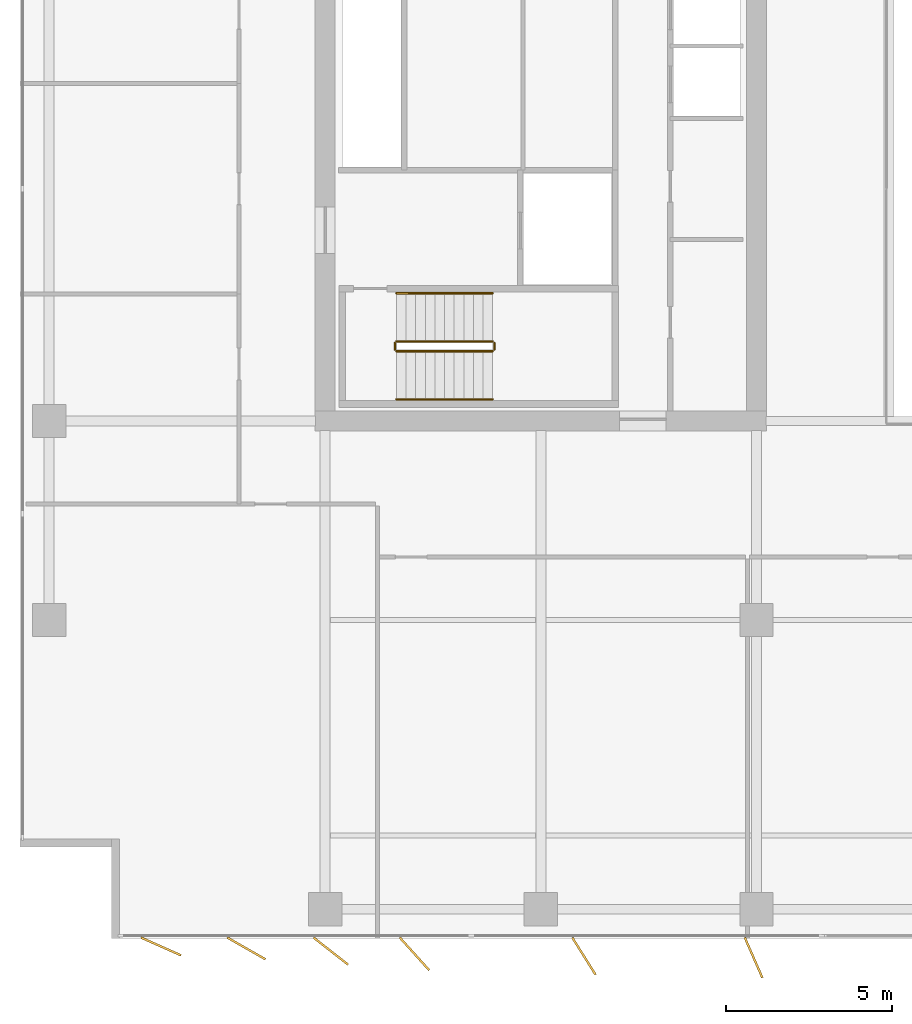
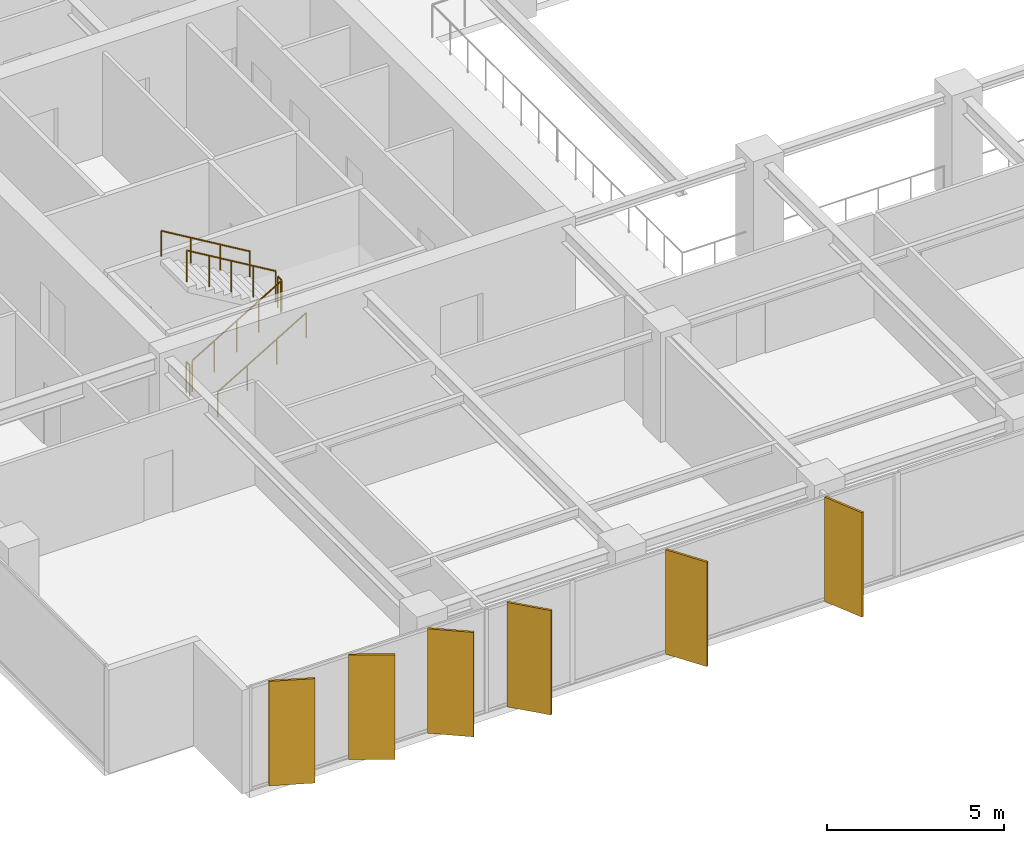
# One storey, part 19 of 22: 6 railings, 6 shading devices.
"""IFC4 building model written with IfcOpenShell, lengths in metres."""

from ifc_helpers import new_model, si_unit, direction, frame, origin, origin_2d, place, context, subcontext, project, spatial, rectangle, circle, extrude, material, layer, layer_set, type_object, element, save


model = new_model("IFC4")

# Units and contexts
model_context = context("Model", 3, precision=1e-05, world=origin(), true_north=direction((0.0, 1.0)))
body_context = subcontext(model_context, "Body", "Model", "MODEL_VIEW")
ifc_project = project(units=[si_unit("LENGTHUNIT", "METRE"), si_unit("AREAUNIT", "SQUARE_METRE"), si_unit("VOLUMEUNIT", "CUBIC_METRE"), si_unit("PLANEANGLEUNIT", "RADIAN"), si_unit("MASSUNIT", "GRAM", prefix="KILO")], contexts=[model_context])

# Site, building, storey
site_placement = place(None, origin())
site = spatial("IfcSite", under=ifc_project, at=site_placement, CompositionType="ELEMENT")
building_placement = place(site_placement, origin())
building = spatial("IfcBuilding", under=site, at=building_placement, Name="Putna Gate Headquarters", CompositionType="ELEMENT")
storey_placement = place(building_placement, frame((0.0, 0.0, 186.0)))
storey = spatial("IfcBuildingStorey", under=building, at=storey_placement, Name="L46", CompositionType="ELEMENT", Elevation=186.0)

# Railings
ifc_material_1 = material(Name="Powder-coated steel stair guardrail", Category="steel")
railing_type_1 = type_object("IfcRailingType", Name="RAIL-STAIR-GUARD-1100", PredefinedType="GUARDRAIL", material=ifc_material_1)
railing_1_placement = place(storey_placement, frame((15.14990234375, 21.10009765625, 0.172607421875)))
element("IfcRailing", 1, at=railing_1_placement, inside=storey, type_object=railing_type_1, Name="L46 ST1 stair guard 1", PredefinedType="GUARDRAIL", context=body_context, shape_type="SweptSolid", body=[
    extrude(circle(Radius=0.02392578125, at=origin_2d()), frame((0.0, 0.0, 1.076171875), z_axis=(0.859160404282, 0.0, 0.51170636083), x_axis=(0.0, 1.0, 0.0)), (0.0, 0.0, 1.0), 3.37548828125),
    extrude(circle(Radius=0.02099609375, at=origin_2d()), origin(), (0.0, 0.0, 1.0), 1.052001953125),
    extrude(circle(Radius=0.02099609375, at=origin_2d()), frame((0.72509765625, 0.0, 0.431884765625)), (0.0, 0.0, 1.0), 1.052001953125),
    extrude(circle(Radius=0.02099609375, at=origin_2d()), frame((1.4501953125, 0.0, 0.86376953125)), (0.0, 0.0, 1.0), 1.052001953125),
    extrude(circle(Radius=0.02099609375, at=origin_2d()), frame((2.175048828125, 0.0, 1.29541015625)), (0.0, 0.0, 1.0), 1.052001953125),
    extrude(circle(Radius=0.02099609375, at=origin_2d()), frame((2.900146484375, 0.0, 1.727294921875)), (0.0, 0.0, 1.0), 1.052001953125),
])
railing_2_placement = place(storey_placement, frame((18.10009765625, 21.14990234375, 1.89990234375)))
element("IfcRailing", 2, at=railing_2_placement, inside=storey, type_object=railing_type_1, Name="L46 ST1 stair guard 2", PredefinedType="GUARDRAIL", context=body_context, shape_type="SweptSolid", body=[
    extrude(circle(Radius=0.02392578125, at=origin_2d()), frame((0.0, 0.0, 1.076171875), z_axis=(0.0, 1.0, 0.0), x_axis=(-1.0, 0.0, 0.0)), (0.0, 0.0, 1.0), 0.2001953125),
    extrude(circle(Radius=0.02099609375, at=origin_2d()), origin(), (0.0, 0.0, 1.0), 1.052001953125),
    extrude(circle(Radius=0.02099609375, at=origin_2d()), frame((0.0, 0.2001953125, 0.0)), (0.0, 0.0, 1.0), 1.052001953125),
])
railing_3_placement = place(storey_placement, frame((18.050048828125, 21.39990234375, 2.07275390625)))
element("IfcRailing", 3, at=railing_3_placement, inside=storey, type_object=railing_type_1, Name="L46 ST1 stair guard 3", PredefinedType="GUARDRAIL", context=body_context, shape_type="SweptSolid", body=[
    extrude(circle(Radius=0.02392578125, at=origin_2d()), frame((0.0, 0.0, 1.076171875), z_axis=(-0.859160404282, 0.0, 0.51170636083), x_axis=(0.0, -1.0, 0.0)), (0.0, 0.0, 1.0), 3.37548828125),
    extrude(circle(Radius=0.02099609375, at=origin_2d()), origin(), (0.0, 0.0, 1.0), 1.052001953125),
    extrude(circle(Radius=0.02099609375, at=origin_2d()), frame((-0.72509765625, 0.0, 0.431884765625)), (0.0, 0.0, 1.0), 1.052001953125),
    extrude(circle(Radius=0.02099609375, at=origin_2d()), frame((-1.4501953125, 0.0, 0.86376953125)), (0.0, 0.0, 1.0), 1.052001953125),
    extrude(circle(Radius=0.02099609375, at=origin_2d()), frame((-2.175048828125, 0.0, 1.29541015625)), (0.0, 0.0, 1.0), 1.052001953125),
    extrude(circle(Radius=0.02099609375, at=origin_2d()), frame((-2.900146484375, 0.0, 1.727294921875)), (0.0, 0.0, 1.0), 1.052001953125),
])
railing_4_placement = place(storey_placement, frame((15.10009765625, 21.14990234375, 0.0)))
element("IfcRailing", 4, at=railing_4_placement, inside=storey, type_object=railing_type_1, Name="L46 ST1 stair guard 4", PredefinedType="GUARDRAIL", context=body_context, shape_type="SweptSolid", body=[
    extrude(circle(Radius=0.02392578125, at=origin_2d()), frame((0.0, 0.0, 1.076171875), z_axis=(0.0, 1.0, 0.0), x_axis=(-1.0, 0.0, 0.0)), (0.0, 0.0, 1.0), 0.2001953125),
    extrude(circle(Radius=0.02099609375, at=origin_2d()), origin(), (0.0, 0.0, 1.0), 1.052001953125),
    extrude(circle(Radius=0.02099609375, at=origin_2d()), frame((0.0, 0.2001953125, 0.0)), (0.0, 0.0, 1.0), 1.052001953125),
])
ifc_material_2 = material(Name="Brushed stainless steel handrail", Category="steel")
railing_type_2 = type_object("IfcRailingType", Name="RAIL-STAIR-HAND-900", PredefinedType="HANDRAIL", material=ifc_material_2)
railing_5_placement = place(storey_placement, frame((15.14990234375, 19.64990234375, 0.172607421875)))
element("IfcRailing", 5, at=railing_5_placement, inside=storey, type_object=railing_type_2, Name="L46 ST1 stair handrail 1", PredefinedType="HANDRAIL", context=body_context, shape_type="SweptSolid", body=[
    extrude(circle(Radius=0.02392578125, at=origin_2d()), frame((0.0, 0.0, 0.8759765625), z_axis=(0.859160404282, 0.0, 0.51170636083), x_axis=(0.0, 1.0, 0.0)), (0.0, 0.0, 1.0), 3.37548828125),
    extrude(circle(Radius=0.02099609375, at=origin_2d()), origin(), (0.0, 0.0, 1.0), 0.851806640625),
    extrude(circle(Radius=0.02099609375, at=origin_2d()), frame((0.966796875, 0.0, 0.57568359375)), (0.0, 0.0, 1.0), 0.851806640625),
    extrude(circle(Radius=0.02099609375, at=origin_2d()), frame((1.933349609375, 0.0, 1.151611328125)), (0.0, 0.0, 1.0), 0.851806640625),
    extrude(circle(Radius=0.02099609375, at=origin_2d()), frame((2.900146484375, 0.0, 1.727294921875)), (0.0, 0.0, 1.0), 0.851806640625),
])
railing_6_placement = place(storey_placement, frame((18.050048828125, 22.85009765625, 2.07275390625)))
element("IfcRailing", 6, at=railing_6_placement, inside=storey, type_object=railing_type_2, Name="L46 ST1 stair handrail 2", PredefinedType="HANDRAIL", context=body_context, shape_type="SweptSolid", body=[
    extrude(circle(Radius=0.02392578125, at=origin_2d()), frame((0.0, 0.0, 0.8759765625), z_axis=(-0.859160404282, 0.0, 0.51170636083), x_axis=(0.0, -1.0, 0.0)), (0.0, 0.0, 1.0), 3.37548828125),
    extrude(circle(Radius=0.02099609375, at=origin_2d()), origin(), (0.0, 0.0, 1.0), 0.851806640625),
    extrude(circle(Radius=0.02099609375, at=origin_2d()), frame((-0.966796875, 0.0, 0.57568359375)), (0.0, 0.0, 1.0), 0.851806640625),
    extrude(circle(Radius=0.02099609375, at=origin_2d()), frame((-1.933349609375, 0.0, 1.151611328125)), (0.0, 0.0, 1.0), 0.851806640625),
    extrude(circle(Radius=0.02099609375, at=origin_2d()), frame((-2.900146484375, 0.0, 1.727294921875)), (0.0, 0.0, 1.0), 0.851806640625),
])

# Shading devices
ifc_material_3 = material(Name="Anodised architectural bronze aluminium fin", Category="aluminium")
ifc_layer = layer(ifc_material_3, 0.06494140625)
ifc_layer_set = layer_set([ifc_layer], Name="Anodised architectural bronze aluminium fin")
shading_device_type = type_object("IfcShadingDeviceType", Name="SHADE-BRONZE-FIN-1320", PredefinedType="USERDEFINED", material=ifc_layer_set)
for number, where, z_axis, x_axis, name in (
    (7, (8.052978515625, 3.15673828125, -0.02001953125), (0.0, 0.0, 1.0), (0.913687379856, -0.40641773078, 0.0), "L46 Bronze Vertical Shading Fin S1"),
    (8, (10.623779296875, 3.098876953125, -0.02001953125), (0.0, 0.0, 1.0), (0.869322458298, -0.494245347472, 0.0), "L46 Bronze Vertical Shading Fin S2"),
    (9, (13.169677734375, 3.018310546875, -0.02001953125), (0.0, 0.0, 1.0), (0.787473187632, -0.616348909921, 0.0), "L46 Bronze Vertical Shading Fin S3"),
    (10, (15.691650390625, 2.9345703125, -0.02001953125), (0.0, 0.0, 1.0), (0.669130606359, -0.743144825477, 0.0), "L46 Bronze Vertical Shading Fin S4"),
    (11, (20.80029296875, 2.865478515625, -0.02001953125), (0.0, 0.0, 1.0), (0.530659123936, -0.847585331506, 0.0), "L46 Bronze Vertical Shading Fin S5"),
    (12, (25.914306640625, 2.8203125, -0.02001953125), (0.0, 0.0, 1.0), (0.400668879095, -0.916222925562, 0.0), "L46 Bronze Vertical Shading Fin S6"),
):
    element("IfcShadingDevice", number, at=place(storey_placement, frame(where, z_axis=z_axis, x_axis=x_axis)), inside=storey, type_object=shading_device_type, Name=name, ObjectType="FIN", PredefinedType="USERDEFINED", context=body_context, shape_type="SweptSolid", body=[
        extrude(rectangle(XDim=1.320068359375, YDim=0.06494140625, at=origin_2d()), origin(), (0.0, 0.0, 1.0), 3.612060546875),
    ])

save(model, "model.ifc")
